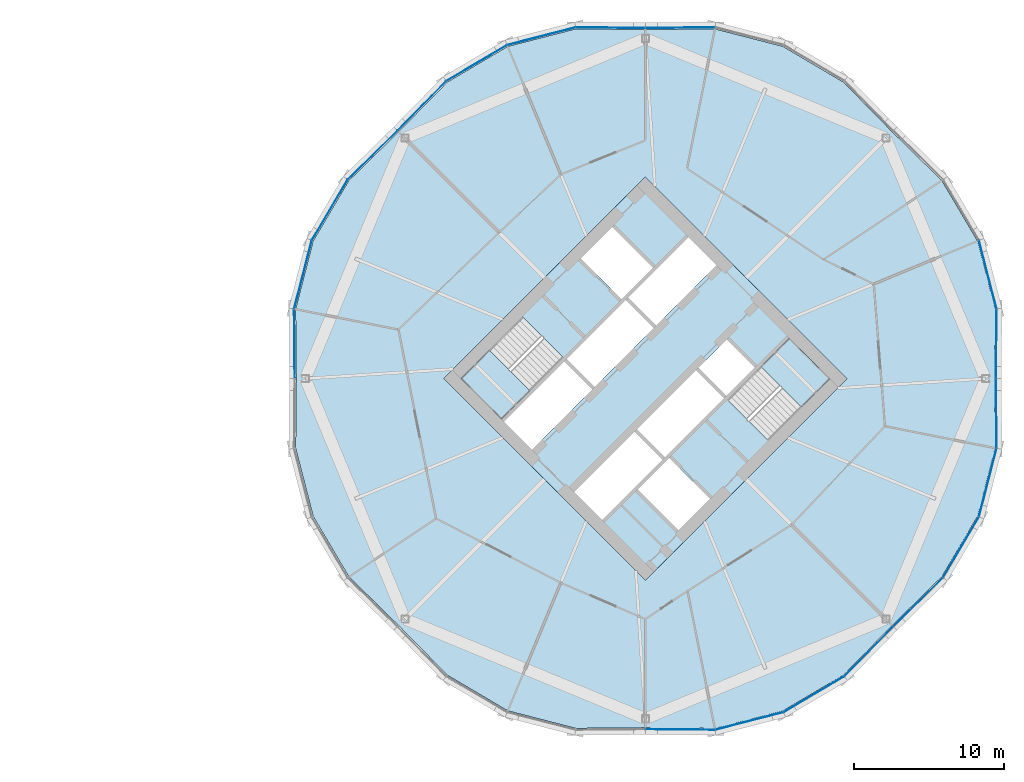
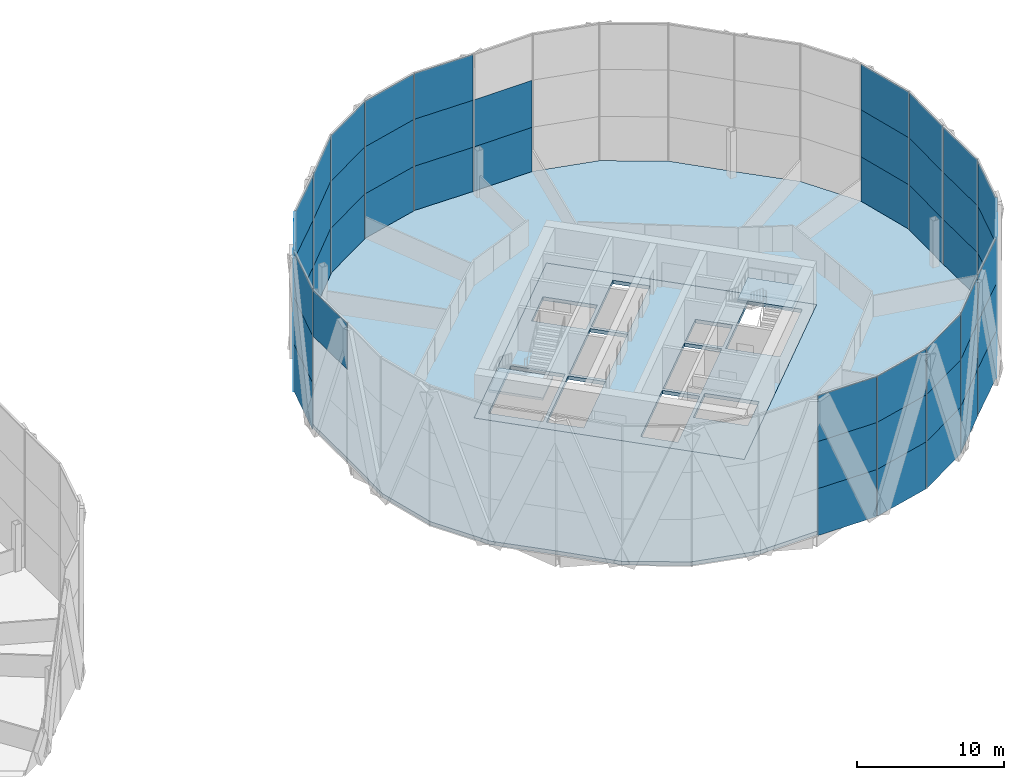
# One storey, part 18 of 26: 54 plates, 4 slabs, 8 elements without a shape of their own.
"""IFC4 building model written with IfcOpenShell, lengths in metres."""

from ifc_helpers import new_model, si_unit, direction, frame, origin, origin_2d, place, context, subcontext, project, spatial, polyline, rectangle, outline, extrude, material, layer, layer_set, type_object, element, aggregate, save


model = new_model("IFC4")

# Units and contexts
model_context = context("Model", 3, precision=1e-05, world=origin(), true_north=direction((0.0, 1.0)))
body_context = subcontext(model_context, "Body", "Model", "MODEL_VIEW")
ifc_project = project(units=[si_unit("LENGTHUNIT", "METRE"), si_unit("AREAUNIT", "SQUARE_METRE"), si_unit("VOLUMEUNIT", "CUBIC_METRE"), si_unit("PLANEANGLEUNIT", "RADIAN"), si_unit("MASSUNIT", "GRAM", prefix="KILO")], contexts=[model_context])

# Site, building, storey
site_placement = place(None, origin())
site = spatial("IfcSite", under=ifc_project, at=site_placement, CompositionType="ELEMENT")
building_placement = place(site_placement, origin())
building = spatial("IfcBuilding", under=site, at=building_placement, Name="Ogive Gate Towers", CompositionType="ELEMENT")
storey_placement = place(building_placement, frame((0.0, 0.0, 87.89990234375)))
storey = spatial("IfcBuildingStorey", under=building, at=storey_placement, Name="L20", CompositionType="ELEMENT", Elevation=87.89990234375)

# Slabs
ifc_material_1 = material(Name="Concrete C40/50", Category="concrete")
ifc_layer_1 = layer(ifc_material_1, 0.300048828125)
ifc_layer_set_1 = layer_set([ifc_layer_1], Name="Core slab C40/50 300 mm")
slab_type_1 = type_object("IfcSlabType", Name="Core slab C40/50 300 mm", PredefinedType="FLOOR", material=ifc_layer_set_1)
slab_1_placement = place(storey_placement, frame((0.0, 0.0, -0.2998046875)))
element("IfcSlab", 1, at=slab_1_placement, inside=storey, type_object=slab_type_1, Name="T2 L20 core slab", PredefinedType="FLOOR", context=body_context, shape_type="SweptSolid", body=[
    extrude(outline(polyline([(36.0, 13.43505859375), (49.43505859375, 0.0), (36.0, -13.43505859375), (22.56494140625, 0.0), (36.0, 13.43505859375)]), holes=[polyline([(30.590576171875, 1.13134765625), (26.577880859375, -2.881591796875), (28.43408203125, -4.737548828125), (32.44677734375, -0.724853515625), (30.590576171875, 1.13134765625)]), polyline([(36.548095703125, 3.37646484375), (34.69189453125, 5.232666015625), (30.767333984375, 1.30810546875), (32.62353515625, -0.548095703125), (36.548095703125, 3.37646484375)]), polyline([(36.724853515625, 3.55322265625), (40.737548828125, 7.56591796875), (38.881591796875, 9.422119140625), (34.86865234375, 5.409423828125), (36.724853515625, 3.55322265625)]), polyline([(31.262451171875, -7.56591796875), (33.118408203125, -9.422119140625), (37.13134765625, -5.409423828125), (35.275146484375, -3.55322265625), (31.262451171875, -7.56591796875)]), polyline([(39.37646484375, 0.548095703125), (35.451904296875, -3.37646484375), (37.30810546875, -5.232666015625), (41.232666015625, -1.30810546875), (39.37646484375, 0.548095703125)]), polyline([(43.283203125, 0.742431640625), (41.427001953125, 2.5986328125), (39.55322265625, 0.724853515625), (41.409423828125, -1.13134765625), (43.283203125, 0.742431640625)]), polyline([(34.408935546875, 5.30322265625), (36.4951171875, 7.389404296875), (33.790283203125, 10.093994140625), (31.704345703125, 8.008056640625), (34.408935546875, 5.30322265625)]), polyline([(35.5048828125, -7.389404296875), (38.209716796875, -10.093994140625), (40.295654296875, -8.008056640625), (37.591064453125, -5.30322265625), (35.5048828125, -7.389404296875)]), polyline([(26.40087890625, -2.70458984375), (30.512939453125, 1.406982421875), (27.80810546875, 4.11181640625), (23.6962890625, 0.0), (26.40087890625, -2.70458984375)]), polyline([(48.3037109375, 0.0), (45.59912109375, 2.70458984375), (41.487060546875, -1.406982421875), (44.19189453125, -4.11181640625), (48.3037109375, 0.0)])]), origin(), (0.0, 0.0, 1.0), 0.2998046875),
])
ifc_material_2 = material(Name="Concrete C35/45", Category="concrete")
ifc_layer_2 = layer(ifc_material_2, 0.300048828125)
ifc_layer_set_2 = layer_set([ifc_layer_2], Name="Floor slab 300")
slab_type_2 = type_object("IfcSlabType", Name="Floor slab 300", PredefinedType="FLOOR", material=ifc_layer_set_2)
slab_2_placement = place(storey_placement, frame((0.0, 0.0, -0.2998046875)))
element("IfcSlab", 2, at=slab_2_placement, inside=storey, type_object=slab_type_2, Name="T2/L20/SSL001", PredefinedType="FLOOR", context=body_context, shape_type="SweptSolid", body=[
    extrude(outline(polyline([(59.313232421875, -4.63720703125), (59.27001953125, 0.0), (59.313232421875, 4.63720703125), (58.1455078125, 9.1728515625), (55.763916015625, 13.205810546875), (52.454345703125, 16.454345703125), (49.205810546875, 19.763916015625), (45.1728515625, 22.1455078125), (40.63720703125, 23.313232421875), (36.0, 23.27001953125), (31.36279296875, 23.313232421875), (26.8271484375, 22.1455078125), (22.794189453125, 19.763916015625), (19.545654296875, 16.454345703125), (16.236083984375, 13.205810546875), (13.8544921875, 9.1728515625), (12.686767578125, 4.63720703125), (12.72998046875, 0.0), (12.686767578125, -4.63720703125), (13.8544921875, -9.1728515625), (16.236083984375, -13.205810546875), (19.545654296875, -16.454345703125), (22.794189453125, -19.763916015625), (26.8271484375, -22.1455078125), (31.36279296875, -23.313232421875), (36.0, -23.27001953125), (40.63720703125, -23.313232421875), (45.1728515625, -22.1455078125), (49.205810546875, -19.763916015625), (52.454345703125, -16.454345703125), (55.763916015625, -13.205810546875), (58.1455078125, -9.1728515625), (59.313232421875, -4.63720703125)]), holes=[polyline([(49.43505859375, 0.0), (36.0, -13.43505859375), (22.56494140625, 0.0), (36.0, 13.43505859375), (49.43505859375, 0.0)])]), origin(), (0.0, 0.0, 1.0), 0.2998046875),
])

# Stair, slab
stair_type = type_object("IfcStairType", Name="Escape stair 1840 wide", PredefinedType="HALF_TURN_STAIR", material=ifc_material_1)
stair_1_placement = place(storey_placement, origin())
stair_1 = element("IfcStair", 3, at=stair_1_placement, inside=storey, type_object=stair_type, Name="L20 Escape stair 1", PredefinedType="HALF_TURN_STAIR")
ifc_layer_3 = layer(ifc_material_1, 0.199951171875)
ifc_layer_set_3 = layer_set([ifc_layer_3], Name="Stair landing 200 mm")
slab_type_3 = type_object("IfcSlabType", Name="Stair landing 200 mm", PredefinedType="LANDING", material=ifc_layer_set_3)
slab_3_placement = place(storey_placement, frame((0.0, 0.0, 1.75)))
slab_3 = element("IfcSlab", 4, at=slab_3_placement, type_object=slab_type_3, Name="ST1 landing 1", PredefinedType="LANDING", context=body_context, shape_type="SweptSolid", body=[
    extrude(outline(polyline([(25.6044921875, 1.908203125), (23.6962890625, 0.0), (26.401123046875, -2.70458984375), (28.309326171875, -0.79638671875), (25.6044921875, 1.908203125)])), origin(), (0.0, 0.0, 1.0), 0.2001953125),
])
aggregate(stair_1, [slab_3])

stair_2_placement = place(storey_placement, origin())
stair_2 = element("IfcStair", 5, at=stair_2_placement, inside=storey, type_object=stair_type, Name="L20 Escape stair 2", PredefinedType="HALF_TURN_STAIR")
slab_4_placement = place(storey_placement, frame((0.0, 0.0, 1.75)))
slab_4 = element("IfcSlab", 6, at=slab_4_placement, type_object=slab_type_3, Name="ST2 landing 1", PredefinedType="LANDING", context=body_context, shape_type="SweptSolid", body=[
    extrude(outline(polyline([(46.3955078125, -1.908203125), (48.3037109375, 0.0), (45.598876953125, 2.70458984375), (43.690673828125, 0.79638671875), (46.3955078125, -1.908203125)])), origin(), (0.0, 0.0, 1.0), 0.2001953125),
])
aggregate(stair_2, [slab_4])

# Curtain wall, plates
ifc_material_3 = material(Name="Pale metal aluminium", Category="aluminium")
curtain_wall_type = type_object("IfcCurtainWallType", Name="Tower unitised wall, low zone", PredefinedType="NOTDEFINED", material=ifc_material_3)
curtain_wall_1_placement = place(storey_placement, origin())
curtain_wall_1 = element("IfcCurtainWall", 7, at=curtain_wall_1_placement, inside=storey, type_object=curtain_wall_type, Name="CW1 T2 ECW01", PredefinedType="NOTDEFINED")
ifc_material_4 = material(Name="Clear glass", Category="glass")
ifc_layer_4 = layer(ifc_material_4, 0.028076171875)
ifc_layer_set_4 = layer_set([ifc_layer_4], Name="Tower unitised wall, low zone glass panel")
plate_type = type_object("IfcPlateType", Name="Tower unitised wall, low zone glass panel", PredefinedType="CURTAIN_PANEL", material=ifc_layer_set_4)
plate_1_placement = place(storey_placement, frame((59.3916015625, 2.32275390625, -0.2998046875), z_axis=(0.0, 0.0, 1.0), x_axis=(0.009337375811, 0.999956405756, 0.0)))
plate_1 = element("IfcPlate", 8, at=plate_1_placement, type_object=plate_type, Name="CW1 glass panel", PredefinedType="CURTAIN_PANEL", context=body_context, shape_type="SweptSolid", body=[
    extrude(rectangle(XDim=4.591796875, YDim=0.028076171875, at=origin_2d()), origin(), (0.0, 0.0, 1.0), 3.89990234375),
])
plate_2_placement = place(storey_placement, frame((59.3916015625, 2.32275390625, 3.60009765625), z_axis=(0.0, 0.0, 1.0), x_axis=(0.009337375811, 0.999956405756, 0.0)))
plate_2 = element("IfcPlate", 9, at=plate_2_placement, type_object=plate_type, Name="CW1 glass panel", PredefinedType="CURTAIN_PANEL", context=body_context, shape_type="SweptSolid", body=[
    extrude(rectangle(XDim=4.591796875, YDim=0.028076171875, at=origin_2d()), origin(), (0.0, 0.0, 1.0), 3.89990234375),
])
plate_3_placement = place(storey_placement, frame((59.3916015625, 2.32275390625, 7.5), z_axis=(0.0, 0.0, 1.0), x_axis=(0.009337375811, 0.999956405756, 0.0)))
plate_3 = element("IfcPlate", 10, at=plate_3_placement, type_object=plate_type, Name="CW1 glass panel", PredefinedType="CURTAIN_PANEL", context=body_context, shape_type="SweptSolid", body=[
    extrude(rectangle(XDim=4.591796875, YDim=0.028076171875, at=origin_2d()), origin(), (0.0, 0.0, 1.0), 3.803955078125),
])
plate_4_placement = place(storey_placement, frame((58.826171875, 6.930419921875, -0.2998046875), z_axis=(0.0, 0.0, 1.0), x_axis=(-0.249349123146, 0.968413658922, 0.0)))
plate_4 = element("IfcPlate", 11, at=plate_4_placement, type_object=plate_type, Name="CW1 glass panel", PredefinedType="CURTAIN_PANEL", context=body_context, shape_type="SweptSolid", body=[
    extrude(rectangle(XDim=4.649169921875, YDim=0.028076171875, at=origin_2d()), origin(), (0.0, 0.0, 1.0), 3.89990234375),
])
plate_5_placement = place(storey_placement, frame((58.826171875, 6.930419921875, 3.60009765625), z_axis=(0.0, 0.0, 1.0), x_axis=(-0.249349123146, 0.968413658922, 0.0)))
plate_5 = element("IfcPlate", 12, at=plate_5_placement, type_object=plate_type, Name="CW1 glass panel", PredefinedType="CURTAIN_PANEL", context=body_context, shape_type="SweptSolid", body=[
    extrude(rectangle(XDim=4.649169921875, YDim=0.028076171875, at=origin_2d()), origin(), (0.0, 0.0, 1.0), 3.89990234375),
])
plate_6_placement = place(storey_placement, frame((58.826171875, 6.930419921875, 7.5), z_axis=(0.0, 0.0, 1.0), x_axis=(-0.249349123146, 0.968413658922, 0.0)))
plate_6 = element("IfcPlate", 13, at=plate_6_placement, type_object=plate_type, Name="CW1 glass panel", PredefinedType="CURTAIN_PANEL", context=body_context, shape_type="SweptSolid", body=[
    extrude(rectangle(XDim=4.649169921875, YDim=0.028076171875, at=origin_2d()), origin(), (0.0, 0.0, 1.0), 3.803955078125),
])
aggregate(curtain_wall_1, [plate_1, plate_2, plate_3, plate_4, plate_5, plate_6])

curtain_wall_2_placement = place(storey_placement, origin())
curtain_wall_2 = element("IfcCurtainWall", 14, at=curtain_wall_2_placement, inside=storey, type_object=curtain_wall_type, Name="CW1 T2 ECW02", PredefinedType="NOTDEFINED")
plate_7_placement = place(storey_placement, frame((38.32275390625, 23.3916015625, -0.2998046875), z_axis=(0.0, 0.0, 1.0), x_axis=(-0.999956405756, -0.009337375811, 0.0)))
plate_7 = element("IfcPlate", 15, at=plate_7_placement, type_object=plate_type, Name="CW1 glass panel", PredefinedType="CURTAIN_PANEL", context=body_context, shape_type="SweptSolid", body=[
    extrude(rectangle(XDim=4.591796875, YDim=0.028076171875, at=origin_2d()), origin(), (0.0, 0.0, 1.0), 3.89990234375),
])
plate_8_placement = place(storey_placement, frame((38.32275390625, 23.3916015625, 3.60009765625), z_axis=(0.0, 0.0, 1.0), x_axis=(-0.999956405756, -0.009337375811, 0.0)))
plate_8 = element("IfcPlate", 16, at=plate_8_placement, type_object=plate_type, Name="CW1 glass panel", PredefinedType="CURTAIN_PANEL", context=body_context, shape_type="SweptSolid", body=[
    extrude(rectangle(XDim=4.591796875, YDim=0.028076171875, at=origin_2d()), origin(), (0.0, 0.0, 1.0), 3.89990234375),
])
aggregate(curtain_wall_2, [plate_7, plate_8])

curtain_wall_3_placement = place(storey_placement, origin())
curtain_wall_3 = element("IfcCurtainWall", 17, at=curtain_wall_3_placement, inside=storey, type_object=curtain_wall_type, Name="CW1 T2 ECW03", PredefinedType="NOTDEFINED")
plate_9_placement = place(storey_placement, frame((33.67724609375, 23.3916015625, -0.2998046875), z_axis=(0.0, 0.0, 1.0), x_axis=(-0.999956405756, 0.009337375811, 0.0)))
plate_9 = element("IfcPlate", 18, at=plate_9_placement, type_object=plate_type, Name="CW1 glass panel", PredefinedType="CURTAIN_PANEL", context=body_context, shape_type="SweptSolid", body=[
    extrude(rectangle(XDim=4.591796875, YDim=0.028076171875, at=origin_2d()), origin(), (0.0, 0.0, 1.0), 3.89990234375),
])
plate_10_placement = place(storey_placement, frame((33.67724609375, 23.3916015625, 3.60009765625), z_axis=(0.0, 0.0, 1.0), x_axis=(-0.999956405756, 0.009337375811, 0.0)))
plate_10 = element("IfcPlate", 19, at=plate_10_placement, type_object=plate_type, Name="CW1 glass panel", PredefinedType="CURTAIN_PANEL", context=body_context, shape_type="SweptSolid", body=[
    extrude(rectangle(XDim=4.591796875, YDim=0.028076171875, at=origin_2d()), origin(), (0.0, 0.0, 1.0), 3.89990234375),
])
plate_11_placement = place(storey_placement, frame((33.67724609375, 23.3916015625, 7.5), z_axis=(0.0, 0.0, 1.0), x_axis=(-0.999956405756, 0.009337375811, 0.0)))
plate_11 = element("IfcPlate", 20, at=plate_11_placement, type_object=plate_type, Name="CW1 glass panel", PredefinedType="CURTAIN_PANEL", context=body_context, shape_type="SweptSolid", body=[
    extrude(rectangle(XDim=4.591796875, YDim=0.028076171875, at=origin_2d()), origin(), (0.0, 0.0, 1.0), 3.803955078125),
])
plate_12_placement = place(storey_placement, frame((29.069580078125, 22.826171875, -0.2998046875), z_axis=(0.0, 0.0, 1.0), x_axis=(-0.968413658922, -0.249349123146, 0.0)))
plate_12 = element("IfcPlate", 21, at=plate_12_placement, type_object=plate_type, Name="CW1 glass panel", PredefinedType="CURTAIN_PANEL", context=body_context, shape_type="SweptSolid", body=[
    extrude(rectangle(XDim=4.649169921875, YDim=0.028076171875, at=origin_2d()), origin(), (0.0, 0.0, 1.0), 3.89990234375),
])
plate_13_placement = place(storey_placement, frame((29.069580078125, 22.826171875, 3.60009765625), z_axis=(0.0, 0.0, 1.0), x_axis=(-0.968413658922, -0.249349123146, 0.0)))
plate_13 = element("IfcPlate", 22, at=plate_13_placement, type_object=plate_type, Name="CW1 glass panel", PredefinedType="CURTAIN_PANEL", context=body_context, shape_type="SweptSolid", body=[
    extrude(rectangle(XDim=4.649169921875, YDim=0.028076171875, at=origin_2d()), origin(), (0.0, 0.0, 1.0), 3.89990234375),
])
plate_14_placement = place(storey_placement, frame((29.069580078125, 22.826171875, 7.5), z_axis=(0.0, 0.0, 1.0), x_axis=(-0.968413658922, -0.249349123146, 0.0)))
plate_14 = element("IfcPlate", 23, at=plate_14_placement, type_object=plate_type, Name="CW1 glass panel", PredefinedType="CURTAIN_PANEL", context=body_context, shape_type="SweptSolid", body=[
    extrude(rectangle(XDim=4.649169921875, YDim=0.028076171875, at=origin_2d()), origin(), (0.0, 0.0, 1.0), 3.803955078125),
])
plate_15_placement = place(storey_placement, frame((24.760009765625, 21.041015625, -0.2998046875), z_axis=(0.0, 0.0, 1.0), x_axis=(-0.861097195167, -0.508440380454, 0.0)))
plate_15 = element("IfcPlate", 24, at=plate_15_placement, type_object=plate_type, Name="CW1 glass panel", PredefinedType="CURTAIN_PANEL", context=body_context, shape_type="SweptSolid", body=[
    extrude(rectangle(XDim=4.64892578125, YDim=0.028076171875, at=origin_2d()), origin(), (0.0, 0.0, 1.0), 3.89990234375),
])
plate_16_placement = place(storey_placement, frame((24.760009765625, 21.041015625, 3.60009765625), z_axis=(0.0, 0.0, 1.0), x_axis=(-0.861097195167, -0.508440380454, 0.0)))
plate_16 = element("IfcPlate", 25, at=plate_16_placement, type_object=plate_type, Name="CW1 glass panel", PredefinedType="CURTAIN_PANEL", context=body_context, shape_type="SweptSolid", body=[
    extrude(rectangle(XDim=4.64892578125, YDim=0.028076171875, at=origin_2d()), origin(), (0.0, 0.0, 1.0), 3.89990234375),
])
plate_17_placement = place(storey_placement, frame((24.760009765625, 21.041015625, 7.5), z_axis=(0.0, 0.0, 1.0), x_axis=(-0.861097195167, -0.508440380454, 0.0)))
plate_17 = element("IfcPlate", 26, at=plate_17_placement, type_object=plate_type, Name="CW1 glass panel", PredefinedType="CURTAIN_PANEL", context=body_context, shape_type="SweptSolid", body=[
    extrude(rectangle(XDim=4.64892578125, YDim=0.028076171875, at=origin_2d()), origin(), (0.0, 0.0, 1.0), 3.803955078125),
])
plate_18_placement = place(storey_placement, frame((21.10205078125, 18.182861328125, -0.2998046875), z_axis=(0.0, 0.0, 1.0), x_axis=(-0.700473433647, -0.713678477155, 0.0)))
plate_18 = element("IfcPlate", 27, at=plate_18_placement, type_object=plate_type, Name="CW1 glass panel", PredefinedType="CURTAIN_PANEL", context=body_context, shape_type="SweptSolid", body=[
    extrude(rectangle(XDim=4.591796875, YDim=0.028076171875, at=origin_2d()), origin(), (0.0, 0.0, 1.0), 3.89990234375),
])
plate_19_placement = place(storey_placement, frame((21.10205078125, 18.182861328125, 3.60009765625), z_axis=(0.0, 0.0, 1.0), x_axis=(-0.700473433647, -0.713678477155, 0.0)))
plate_19 = element("IfcPlate", 28, at=plate_19_placement, type_object=plate_type, Name="CW1 glass panel", PredefinedType="CURTAIN_PANEL", context=body_context, shape_type="SweptSolid", body=[
    extrude(rectangle(XDim=4.591796875, YDim=0.028076171875, at=origin_2d()), origin(), (0.0, 0.0, 1.0), 3.89990234375),
])
plate_20_placement = place(storey_placement, frame((21.10205078125, 18.182861328125, 7.5), z_axis=(0.0, 0.0, 1.0), x_axis=(-0.700473433647, -0.713678477155, 0.0)))
plate_20 = element("IfcPlate", 29, at=plate_20_placement, type_object=plate_type, Name="CW1 glass panel", PredefinedType="CURTAIN_PANEL", context=body_context, shape_type="SweptSolid", body=[
    extrude(rectangle(XDim=4.591796875, YDim=0.028076171875, at=origin_2d()), origin(), (0.0, 0.0, 1.0), 3.803955078125),
])
aggregate(curtain_wall_3, [plate_9, plate_10, plate_11, plate_12, plate_13, plate_14, plate_15, plate_16, plate_17, plate_18, plate_19, plate_20])

curtain_wall_4_placement = place(storey_placement, origin())
curtain_wall_4 = element("IfcCurtainWall", 30, at=curtain_wall_4_placement, inside=storey, type_object=curtain_wall_type, Name="CW1 T2 ECW04", PredefinedType="NOTDEFINED")
plate_21_placement = place(storey_placement, frame((17.817138671875, 14.89794921875, -0.2998046875), z_axis=(0.0, 0.0, 1.0), x_axis=(-0.713678477155, -0.700473433647, 0.0)))
plate_21 = element("IfcPlate", 31, at=plate_21_placement, type_object=plate_type, Name="CW1 glass panel", PredefinedType="CURTAIN_PANEL", context=body_context, shape_type="SweptSolid", body=[
    extrude(rectangle(XDim=4.591796875, YDim=0.028076171875, at=origin_2d()), origin(), (0.0, 0.0, 1.0), 3.89990234375),
])
plate_22_placement = place(storey_placement, frame((17.817138671875, 14.89794921875, 3.60009765625), z_axis=(0.0, 0.0, 1.0), x_axis=(-0.713678477155, -0.700473433647, 0.0)))
plate_22 = element("IfcPlate", 32, at=plate_22_placement, type_object=plate_type, Name="CW1 glass panel", PredefinedType="CURTAIN_PANEL", context=body_context, shape_type="SweptSolid", body=[
    extrude(rectangle(XDim=4.591796875, YDim=0.028076171875, at=origin_2d()), origin(), (0.0, 0.0, 1.0), 3.89990234375),
])
plate_23_placement = place(storey_placement, frame((17.817138671875, 14.89794921875, 7.5), z_axis=(0.0, 0.0, 1.0), x_axis=(-0.713678477155, -0.700473433647, 0.0)))
plate_23 = element("IfcPlate", 33, at=plate_23_placement, type_object=plate_type, Name="CW1 glass panel", PredefinedType="CURTAIN_PANEL", context=body_context, shape_type="SweptSolid", body=[
    extrude(rectangle(XDim=4.591796875, YDim=0.028076171875, at=origin_2d()), origin(), (0.0, 0.0, 1.0), 3.803955078125),
])
plate_24_placement = place(storey_placement, frame((14.958984375, 11.239990234375, -0.2998046875), z_axis=(0.0, 0.0, 1.0), x_axis=(-0.508440380454, -0.861097195167, 0.0)))
plate_24 = element("IfcPlate", 34, at=plate_24_placement, type_object=plate_type, Name="CW1 glass panel", PredefinedType="CURTAIN_PANEL", context=body_context, shape_type="SweptSolid", body=[
    extrude(rectangle(XDim=4.64892578125, YDim=0.028076171875, at=origin_2d()), origin(), (0.0, 0.0, 1.0), 3.89990234375),
])
plate_25_placement = place(storey_placement, frame((14.958984375, 11.239990234375, 3.60009765625), z_axis=(0.0, 0.0, 1.0), x_axis=(-0.508440380454, -0.861097195167, 0.0)))
plate_25 = element("IfcPlate", 35, at=plate_25_placement, type_object=plate_type, Name="CW1 glass panel", PredefinedType="CURTAIN_PANEL", context=body_context, shape_type="SweptSolid", body=[
    extrude(rectangle(XDim=4.64892578125, YDim=0.028076171875, at=origin_2d()), origin(), (0.0, 0.0, 1.0), 3.89990234375),
])
plate_26_placement = place(storey_placement, frame((14.958984375, 11.239990234375, 7.5), z_axis=(0.0, 0.0, 1.0), x_axis=(-0.508440380454, -0.861097195167, 0.0)))
plate_26 = element("IfcPlate", 36, at=plate_26_placement, type_object=plate_type, Name="CW1 glass panel", PredefinedType="CURTAIN_PANEL", context=body_context, shape_type="SweptSolid", body=[
    extrude(rectangle(XDim=4.64892578125, YDim=0.028076171875, at=origin_2d()), origin(), (0.0, 0.0, 1.0), 3.803955078125),
])
plate_27_placement = place(storey_placement, frame((13.173828125, 6.930419921875, -0.2998046875), z_axis=(0.0, 0.0, 1.0), x_axis=(-0.249349123146, -0.968413658922, 0.0)))
plate_27 = element("IfcPlate", 37, at=plate_27_placement, type_object=plate_type, Name="CW1 glass panel", PredefinedType="CURTAIN_PANEL", context=body_context, shape_type="SweptSolid", body=[
    extrude(rectangle(XDim=4.649169921875, YDim=0.028076171875, at=origin_2d()), origin(), (0.0, 0.0, 1.0), 3.89990234375),
])
plate_28_placement = place(storey_placement, frame((13.173828125, 6.930419921875, 3.60009765625), z_axis=(0.0, 0.0, 1.0), x_axis=(-0.249349123146, -0.968413658922, 0.0)))
plate_28 = element("IfcPlate", 38, at=plate_28_placement, type_object=plate_type, Name="CW1 glass panel", PredefinedType="CURTAIN_PANEL", context=body_context, shape_type="SweptSolid", body=[
    extrude(rectangle(XDim=4.649169921875, YDim=0.028076171875, at=origin_2d()), origin(), (0.0, 0.0, 1.0), 3.89990234375),
])
plate_29_placement = place(storey_placement, frame((13.173828125, 6.930419921875, 7.5), z_axis=(0.0, 0.0, 1.0), x_axis=(-0.249349123146, -0.968413658922, 0.0)))
plate_29 = element("IfcPlate", 39, at=plate_29_placement, type_object=plate_type, Name="CW1 glass panel", PredefinedType="CURTAIN_PANEL", context=body_context, shape_type="SweptSolid", body=[
    extrude(rectangle(XDim=4.649169921875, YDim=0.028076171875, at=origin_2d()), origin(), (0.0, 0.0, 1.0), 3.803955078125),
])
plate_30_placement = place(storey_placement, frame((12.6083984375, 2.32275390625, 7.5), z_axis=(0.0, 0.0, 1.0), x_axis=(0.009337375811, -0.999956405756, 0.0)))
plate_30 = element("IfcPlate", 40, at=plate_30_placement, type_object=plate_type, Name="CW1 glass panel", PredefinedType="CURTAIN_PANEL", context=body_context, shape_type="SweptSolid", body=[
    extrude(rectangle(XDim=4.591796875, YDim=0.028076171875, at=origin_2d()), origin(), (0.0, 0.0, 1.0), 3.803955078125),
])
aggregate(curtain_wall_4, [plate_21, plate_22, plate_23, plate_24, plate_25, plate_26, plate_27, plate_28, plate_29, plate_30])

curtain_wall_5_placement = place(storey_placement, origin())
curtain_wall_5 = element("IfcCurtainWall", 41, at=curtain_wall_5_placement, inside=storey, type_object=curtain_wall_type, Name="CW1 T2 ECW07", PredefinedType="NOTDEFINED")
plate_31_placement = place(storey_placement, frame((38.32275390625, -23.3916015625, -0.2998046875), z_axis=(0.0, 0.0, 1.0), x_axis=(0.999956405756, -0.009337375811, 0.0)))
plate_31 = element("IfcPlate", 42, at=plate_31_placement, type_object=plate_type, Name="CW1 glass panel", PredefinedType="CURTAIN_PANEL", context=body_context, shape_type="SweptSolid", body=[
    extrude(rectangle(XDim=4.591796875, YDim=0.028076171875, at=origin_2d()), origin(), (0.0, 0.0, 1.0), 3.89990234375),
])
plate_32_placement = place(storey_placement, frame((38.32275390625, -23.3916015625, 3.60009765625), z_axis=(0.0, 0.0, 1.0), x_axis=(0.999956405756, -0.009337375811, 0.0)))
plate_32 = element("IfcPlate", 43, at=plate_32_placement, type_object=plate_type, Name="CW1 glass panel", PredefinedType="CURTAIN_PANEL", context=body_context, shape_type="SweptSolid", body=[
    extrude(rectangle(XDim=4.591796875, YDim=0.028076171875, at=origin_2d()), origin(), (0.0, 0.0, 1.0), 3.89990234375),
])
plate_33_placement = place(storey_placement, frame((38.32275390625, -23.3916015625, 7.5), z_axis=(0.0, 0.0, 1.0), x_axis=(0.999956405756, -0.009337375811, 0.0)))
plate_33 = element("IfcPlate", 44, at=plate_33_placement, type_object=plate_type, Name="CW1 glass panel", PredefinedType="CURTAIN_PANEL", context=body_context, shape_type="SweptSolid", body=[
    extrude(rectangle(XDim=4.591796875, YDim=0.028076171875, at=origin_2d()), origin(), (0.0, 0.0, 1.0), 3.803955078125),
])
plate_34_placement = place(storey_placement, frame((42.930419921875, -22.826171875, -0.2998046875), z_axis=(0.0, 0.0, 1.0), x_axis=(0.968413658922, 0.249349123146, 0.0)))
plate_34 = element("IfcPlate", 45, at=plate_34_placement, type_object=plate_type, Name="CW1 glass panel", PredefinedType="CURTAIN_PANEL", context=body_context, shape_type="SweptSolid", body=[
    extrude(rectangle(XDim=4.649169921875, YDim=0.028076171875, at=origin_2d()), origin(), (0.0, 0.0, 1.0), 3.89990234375),
])
plate_35_placement = place(storey_placement, frame((42.930419921875, -22.826171875, 3.60009765625), z_axis=(0.0, 0.0, 1.0), x_axis=(0.968413658922, 0.249349123146, 0.0)))
plate_35 = element("IfcPlate", 46, at=plate_35_placement, type_object=plate_type, Name="CW1 glass panel", PredefinedType="CURTAIN_PANEL", context=body_context, shape_type="SweptSolid", body=[
    extrude(rectangle(XDim=4.649169921875, YDim=0.028076171875, at=origin_2d()), origin(), (0.0, 0.0, 1.0), 3.89990234375),
])
plate_36_placement = place(storey_placement, frame((42.930419921875, -22.826171875, 7.5), z_axis=(0.0, 0.0, 1.0), x_axis=(0.968413658922, 0.249349123146, 0.0)))
plate_36 = element("IfcPlate", 47, at=plate_36_placement, type_object=plate_type, Name="CW1 glass panel", PredefinedType="CURTAIN_PANEL", context=body_context, shape_type="SweptSolid", body=[
    extrude(rectangle(XDim=4.649169921875, YDim=0.028076171875, at=origin_2d()), origin(), (0.0, 0.0, 1.0), 3.803955078125),
])
plate_37_placement = place(storey_placement, frame((47.239990234375, -21.041015625, -0.2998046875), z_axis=(0.0, 0.0, 1.0), x_axis=(0.861097195167, 0.508440380454, 0.0)))
plate_37 = element("IfcPlate", 48, at=plate_37_placement, type_object=plate_type, Name="CW1 glass panel", PredefinedType="CURTAIN_PANEL", context=body_context, shape_type="SweptSolid", body=[
    extrude(rectangle(XDim=4.64892578125, YDim=0.028076171875, at=origin_2d()), origin(), (0.0, 0.0, 1.0), 3.89990234375),
])
plate_38_placement = place(storey_placement, frame((47.239990234375, -21.041015625, 3.60009765625), z_axis=(0.0, 0.0, 1.0), x_axis=(0.861097195167, 0.508440380454, 0.0)))
plate_38 = element("IfcPlate", 49, at=plate_38_placement, type_object=plate_type, Name="CW1 glass panel", PredefinedType="CURTAIN_PANEL", context=body_context, shape_type="SweptSolid", body=[
    extrude(rectangle(XDim=4.64892578125, YDim=0.028076171875, at=origin_2d()), origin(), (0.0, 0.0, 1.0), 3.89990234375),
])
plate_39_placement = place(storey_placement, frame((47.239990234375, -21.041015625, 7.5), z_axis=(0.0, 0.0, 1.0), x_axis=(0.861097195167, 0.508440380454, 0.0)))
plate_39 = element("IfcPlate", 50, at=plate_39_placement, type_object=plate_type, Name="CW1 glass panel", PredefinedType="CURTAIN_PANEL", context=body_context, shape_type="SweptSolid", body=[
    extrude(rectangle(XDim=4.64892578125, YDim=0.028076171875, at=origin_2d()), origin(), (0.0, 0.0, 1.0), 3.803955078125),
])
plate_40_placement = place(storey_placement, frame((50.89794921875, -18.182861328125, -0.2998046875), z_axis=(0.0, 0.0, 1.0), x_axis=(0.700473433647, 0.713678477155, 0.0)))
plate_40 = element("IfcPlate", 51, at=plate_40_placement, type_object=plate_type, Name="CW1 glass panel", PredefinedType="CURTAIN_PANEL", context=body_context, shape_type="SweptSolid", body=[
    extrude(rectangle(XDim=4.591796875, YDim=0.028076171875, at=origin_2d()), origin(), (0.0, 0.0, 1.0), 3.89990234375),
])
plate_41_placement = place(storey_placement, frame((50.89794921875, -18.182861328125, 3.60009765625), z_axis=(0.0, 0.0, 1.0), x_axis=(0.700473433647, 0.713678477155, 0.0)))
plate_41 = element("IfcPlate", 52, at=plate_41_placement, type_object=plate_type, Name="CW1 glass panel", PredefinedType="CURTAIN_PANEL", context=body_context, shape_type="SweptSolid", body=[
    extrude(rectangle(XDim=4.591796875, YDim=0.028076171875, at=origin_2d()), origin(), (0.0, 0.0, 1.0), 3.89990234375),
])
plate_42_placement = place(storey_placement, frame((50.89794921875, -18.182861328125, 7.5), z_axis=(0.0, 0.0, 1.0), x_axis=(0.700473433647, 0.713678477155, 0.0)))
plate_42 = element("IfcPlate", 53, at=plate_42_placement, type_object=plate_type, Name="CW1 glass panel", PredefinedType="CURTAIN_PANEL", context=body_context, shape_type="SweptSolid", body=[
    extrude(rectangle(XDim=4.591796875, YDim=0.028076171875, at=origin_2d()), origin(), (0.0, 0.0, 1.0), 3.803955078125),
])
aggregate(curtain_wall_5, [plate_31, plate_32, plate_33, plate_34, plate_35, plate_36, plate_37, plate_38, plate_39, plate_40, plate_41, plate_42])

curtain_wall_6_placement = place(storey_placement, origin())
curtain_wall_6 = element("IfcCurtainWall", 54, at=curtain_wall_6_placement, inside=storey, type_object=curtain_wall_type, Name="CW1 T2 ECW08", PredefinedType="NOTDEFINED")
plate_43_placement = place(storey_placement, frame((54.182861328125, -14.89794921875, -0.2998046875), z_axis=(0.0, 0.0, 1.0), x_axis=(0.713678477155, 0.700473433647, 0.0)))
plate_43 = element("IfcPlate", 55, at=plate_43_placement, type_object=plate_type, Name="CW1 glass panel", PredefinedType="CURTAIN_PANEL", context=body_context, shape_type="SweptSolid", body=[
    extrude(rectangle(XDim=4.591796875, YDim=0.028076171875, at=origin_2d()), origin(), (0.0, 0.0, 1.0), 3.89990234375),
])
plate_44_placement = place(storey_placement, frame((54.182861328125, -14.89794921875, 3.60009765625), z_axis=(0.0, 0.0, 1.0), x_axis=(0.713678477155, 0.700473433647, 0.0)))
plate_44 = element("IfcPlate", 56, at=plate_44_placement, type_object=plate_type, Name="CW1 glass panel", PredefinedType="CURTAIN_PANEL", context=body_context, shape_type="SweptSolid", body=[
    extrude(rectangle(XDim=4.591796875, YDim=0.028076171875, at=origin_2d()), origin(), (0.0, 0.0, 1.0), 3.89990234375),
])
plate_45_placement = place(storey_placement, frame((54.182861328125, -14.89794921875, 7.5), z_axis=(0.0, 0.0, 1.0), x_axis=(0.713678477155, 0.700473433647, 0.0)))
plate_45 = element("IfcPlate", 57, at=plate_45_placement, type_object=plate_type, Name="CW1 glass panel", PredefinedType="CURTAIN_PANEL", context=body_context, shape_type="SweptSolid", body=[
    extrude(rectangle(XDim=4.591796875, YDim=0.028076171875, at=origin_2d()), origin(), (0.0, 0.0, 1.0), 3.803955078125),
])
plate_46_placement = place(storey_placement, frame((57.041015625, -11.239990234375, -0.2998046875), z_axis=(0.0, 0.0, 1.0), x_axis=(0.508440380454, 0.861097195167, 0.0)))
plate_46 = element("IfcPlate", 58, at=plate_46_placement, type_object=plate_type, Name="CW1 glass panel", PredefinedType="CURTAIN_PANEL", context=body_context, shape_type="SweptSolid", body=[
    extrude(rectangle(XDim=4.64892578125, YDim=0.028076171875, at=origin_2d()), origin(), (0.0, 0.0, 1.0), 3.89990234375),
])
plate_47_placement = place(storey_placement, frame((57.041015625, -11.239990234375, 3.60009765625), z_axis=(0.0, 0.0, 1.0), x_axis=(0.508440380454, 0.861097195167, 0.0)))
plate_47 = element("IfcPlate", 59, at=plate_47_placement, type_object=plate_type, Name="CW1 glass panel", PredefinedType="CURTAIN_PANEL", context=body_context, shape_type="SweptSolid", body=[
    extrude(rectangle(XDim=4.64892578125, YDim=0.028076171875, at=origin_2d()), origin(), (0.0, 0.0, 1.0), 3.89990234375),
])
plate_48_placement = place(storey_placement, frame((57.041015625, -11.239990234375, 7.5), z_axis=(0.0, 0.0, 1.0), x_axis=(0.508440380454, 0.861097195167, 0.0)))
plate_48 = element("IfcPlate", 60, at=plate_48_placement, type_object=plate_type, Name="CW1 glass panel", PredefinedType="CURTAIN_PANEL", context=body_context, shape_type="SweptSolid", body=[
    extrude(rectangle(XDim=4.64892578125, YDim=0.028076171875, at=origin_2d()), origin(), (0.0, 0.0, 1.0), 3.803955078125),
])
plate_49_placement = place(storey_placement, frame((58.826171875, -6.930419921875, -0.2998046875), z_axis=(0.0, 0.0, 1.0), x_axis=(0.249349123146, 0.968413658922, 0.0)))
plate_49 = element("IfcPlate", 61, at=plate_49_placement, type_object=plate_type, Name="CW1 glass panel", PredefinedType="CURTAIN_PANEL", context=body_context, shape_type="SweptSolid", body=[
    extrude(rectangle(XDim=4.649169921875, YDim=0.028076171875, at=origin_2d()), origin(), (0.0, 0.0, 1.0), 3.89990234375),
])
plate_50_placement = place(storey_placement, frame((58.826171875, -6.930419921875, 3.60009765625), z_axis=(0.0, 0.0, 1.0), x_axis=(0.249349123146, 0.968413658922, 0.0)))
plate_50 = element("IfcPlate", 62, at=plate_50_placement, type_object=plate_type, Name="CW1 glass panel", PredefinedType="CURTAIN_PANEL", context=body_context, shape_type="SweptSolid", body=[
    extrude(rectangle(XDim=4.649169921875, YDim=0.028076171875, at=origin_2d()), origin(), (0.0, 0.0, 1.0), 3.89990234375),
])
plate_51_placement = place(storey_placement, frame((58.826171875, -6.930419921875, 7.5), z_axis=(0.0, 0.0, 1.0), x_axis=(0.249349123146, 0.968413658922, 0.0)))
plate_51 = element("IfcPlate", 63, at=plate_51_placement, type_object=plate_type, Name="CW1 glass panel", PredefinedType="CURTAIN_PANEL", context=body_context, shape_type="SweptSolid", body=[
    extrude(rectangle(XDim=4.649169921875, YDim=0.028076171875, at=origin_2d()), origin(), (0.0, 0.0, 1.0), 3.803955078125),
])
plate_52_placement = place(storey_placement, frame((59.3916015625, -2.32275390625, -0.2998046875), z_axis=(0.0, 0.0, 1.0), x_axis=(-0.009337375811, 0.999956405756, 0.0)))
plate_52 = element("IfcPlate", 64, at=plate_52_placement, type_object=plate_type, Name="CW1 glass panel", PredefinedType="CURTAIN_PANEL", context=body_context, shape_type="SweptSolid", body=[
    extrude(rectangle(XDim=4.591796875, YDim=0.028076171875, at=origin_2d()), origin(), (0.0, 0.0, 1.0), 3.89990234375),
])
plate_53_placement = place(storey_placement, frame((59.3916015625, -2.32275390625, 3.60009765625), z_axis=(0.0, 0.0, 1.0), x_axis=(-0.009337375811, 0.999956405756, 0.0)))
plate_53 = element("IfcPlate", 65, at=plate_53_placement, type_object=plate_type, Name="CW1 glass panel", PredefinedType="CURTAIN_PANEL", context=body_context, shape_type="SweptSolid", body=[
    extrude(rectangle(XDim=4.591796875, YDim=0.028076171875, at=origin_2d()), origin(), (0.0, 0.0, 1.0), 3.89990234375),
])
plate_54_placement = place(storey_placement, frame((59.3916015625, -2.32275390625, 7.5), z_axis=(0.0, 0.0, 1.0), x_axis=(-0.009337375811, 0.999956405756, 0.0)))
plate_54 = element("IfcPlate", 66, at=plate_54_placement, type_object=plate_type, Name="CW1 glass panel", PredefinedType="CURTAIN_PANEL", context=body_context, shape_type="SweptSolid", body=[
    extrude(rectangle(XDim=4.591796875, YDim=0.028076171875, at=origin_2d()), origin(), (0.0, 0.0, 1.0), 3.803955078125),
])
aggregate(curtain_wall_6, [plate_43, plate_44, plate_45, plate_46, plate_47, plate_48, plate_49, plate_50, plate_51, plate_52, plate_53, plate_54])

save(model, "model.ifc")
